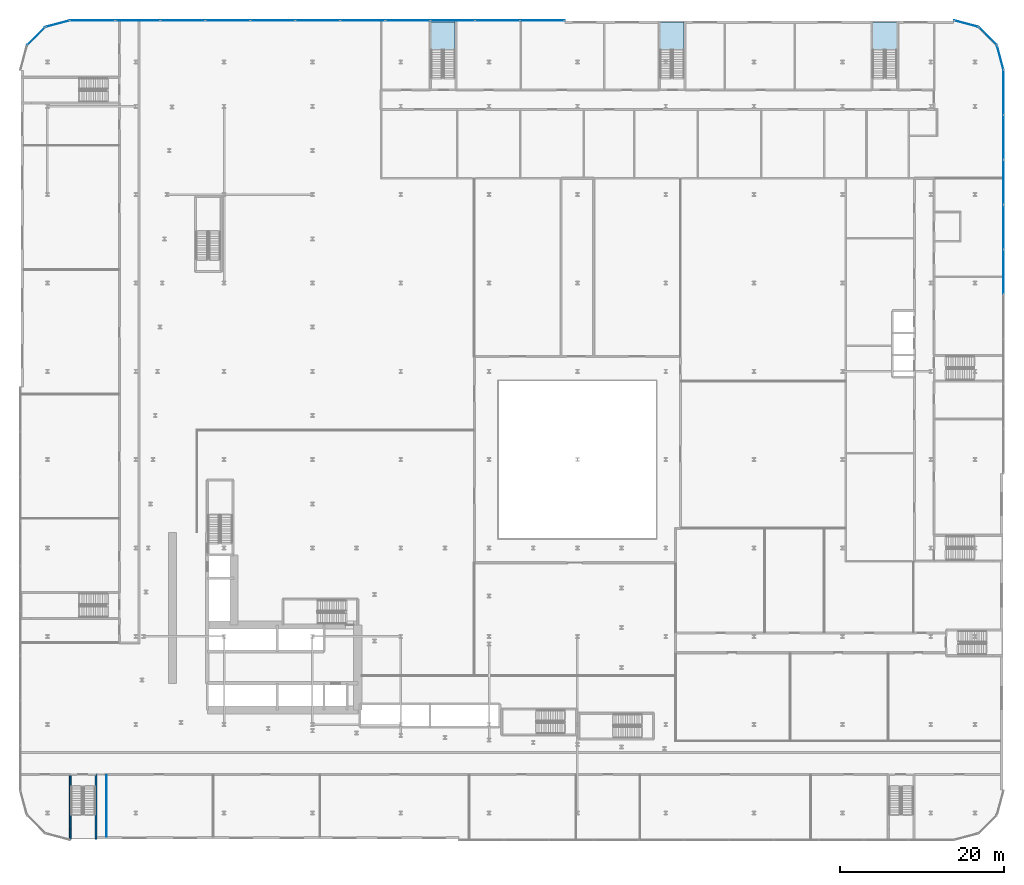
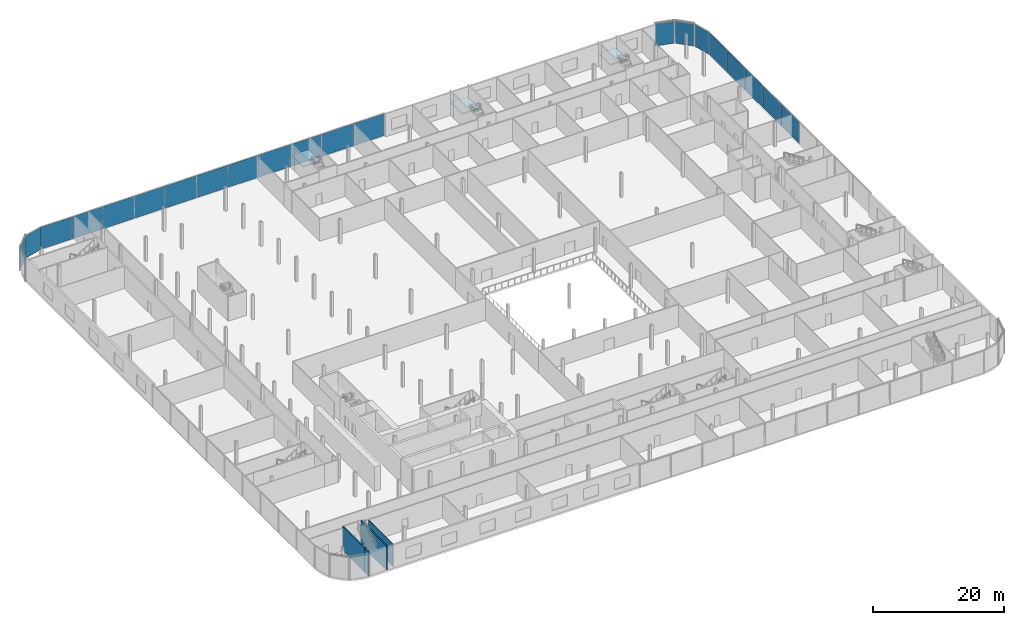
# One storey, part 25 of 47: 21 plates, 4 walls, 3 slabs, 10 elements without a shape of their own.
"""IFC4 building model written with IfcOpenShell, lengths in metres."""

from ifc_helpers import new_model, si_unit, direction, frame, frame_2d, origin, origin_2d, place, context, subcontext, project, spatial, polyline, rectangle, outline, extrude, material, layer, layer_set, type_object, element, aggregate, save


model = new_model("IFC4")

# Units and contexts
model_context = context("Model", 3, precision=1e-05, world=origin(), true_north=direction((0.0, 1.0)))
body_context = subcontext(model_context, "Body", "Model", "MODEL_VIEW")
ifc_project = project(units=[si_unit("LENGTHUNIT", "METRE"), si_unit("AREAUNIT", "SQUARE_METRE"), si_unit("VOLUMEUNIT", "CUBIC_METRE"), si_unit("PLANEANGLEUNIT", "RADIAN"), si_unit("MASSUNIT", "GRAM", prefix="KILO")], contexts=[model_context])

# Site, building, storey
site_placement = place(None, origin())
site = spatial("IfcSite", under=ifc_project, at=site_placement, CompositionType="ELEMENT")
building_placement = place(site_placement, origin())
building = spatial("IfcBuilding", under=site, at=building_placement, Name="Kheshtan School and Residences Tower", CompositionType="ELEMENT")
storey_placement = place(building_placement, frame((0.0, 0.0, 17.0)))
storey = spatial("IfcBuildingStorey", under=building, at=storey_placement, Name="L03", CompositionType="ELEMENT", Elevation=17.0)

# Curtain wall, plate
ifc_material_1 = material(Name="Clear low-e glass in thermally broken aluminium frame", Category="aluminium")
ifc_layer_1 = layer(ifc_material_1, 0.22509765625)
ifc_layer_set_1 = layer_set([ifc_layer_1], Name="Curtain wall CW-P")
curtain_wall_type = type_object("IfcCurtainWallType", Name="Curtain wall CW-P", PredefinedType="NOTDEFINED", material=ifc_layer_set_1)
curtain_wall_1_placement = place(storey_placement, origin())
curtain_wall_1 = element("IfcCurtainWall", 1, at=curtain_wall_1_placement, inside=storey, type_object=curtain_wall_type, Name="Curtain wall CWP2a", PredefinedType="NOTDEFINED")
ifc_layer_2 = layer(ifc_material_1, 0.035888671875)
ifc_layer_set_2 = layer_set([ifc_layer_2], Name="CW-P glass panel")
plate_type = type_object("IfcPlateType", Name="CW-P glass panel", PredefinedType="CURTAIN_PANEL", material=ifc_layer_set_2)
plate_1_placement = place(storey_placement, frame((13.831298828125, 108.168701171875, 0.0), z_axis=(0.0, 0.0, 1.0), x_axis=(0.707106781187, 0.707106781187, 0.0)))
plate_1 = element("IfcPlate", 2, at=plate_1_placement, type_object=plate_type, Name="CWP2a panel 1.1", PredefinedType="CURTAIN_PANEL", context=body_context, shape_type="SweptSolid", body=[
    extrude(rectangle(XDim=2.985595703125, YDim=0.035888671875, at=origin_2d()), origin(), (0.0, 0.0, 1.0), 4.110107421875),
])
aggregate(curtain_wall_1, [plate_1])

curtain_wall_2_placement = place(storey_placement, origin())
curtain_wall_2 = element("IfcCurtainWall", 3, at=curtain_wall_2_placement, inside=storey, type_object=curtain_wall_type, Name="Curtain wall CWP3a", PredefinedType="NOTDEFINED")
plate_2_placement = place(storey_placement, frame((16.47412109375, 109.694580078125, 0.0), z_axis=(0.0, 0.0, 1.0), x_axis=(0.965913556273, 0.258864833085, 0.0)))
plate_2 = element("IfcPlate", 4, at=plate_2_placement, type_object=plate_type, Name="CWP3a panel 1.1", PredefinedType="CURTAIN_PANEL", context=body_context, shape_type="SweptSolid", body=[
    extrude(rectangle(XDim=2.98583984375, YDim=0.035888671875, at=origin_2d()), origin(), (0.0, 0.0, 1.0), 4.110107421875),
])
aggregate(curtain_wall_2, [plate_2])

# Curtain wall, plates
curtain_wall_3_placement = place(storey_placement, origin())
curtain_wall_3 = element("IfcCurtainWall", 5, at=curtain_wall_3_placement, inside=storey, type_object=curtain_wall_type, Name="Curtain wall CWP4a", PredefinedType="NOTDEFINED")
plate_3_placement = place(storey_placement, frame((20.7216796875, 110.10009765625, 0.0), z_axis=(0.0, 0.0, 1.0), x_axis=(1.0, 0.0, 0.0)))
plate_3 = element("IfcPlate", 6, at=plate_3_placement, type_object=plate_type, Name="CWP4a panel 1.1", PredefinedType="CURTAIN_PANEL", context=body_context, shape_type="SweptSolid", body=[
    extrude(rectangle(XDim=5.4931640625, YDim=0.035888671875, at=origin_2d()), origin(), (0.0, 0.0, 1.0), 4.110107421875),
])
plate_4_placement = place(storey_placement, frame((26.247314453125, 110.10009765625, 0.0), z_axis=(0.0, 0.0, 1.0), x_axis=(1.0, 0.0, 0.0)))
plate_4 = element("IfcPlate", 7, at=plate_4_placement, type_object=plate_type, Name="CWP4a panel 2.1", PredefinedType="CURTAIN_PANEL", context=body_context, shape_type="SweptSolid", body=[
    extrude(rectangle(XDim=5.438232421875, YDim=0.035888671875, at=origin_2d()), origin(), (0.0, 0.0, 1.0), 4.110107421875),
])
plate_5_placement = place(storey_placement, frame((31.745361328125, 110.10009765625, 0.0), z_axis=(0.0, 0.0, 1.0), x_axis=(1.0, 0.0, 0.0)))
plate_5 = element("IfcPlate", 8, at=plate_5_placement, type_object=plate_type, Name="CWP4a panel 3.1", PredefinedType="CURTAIN_PANEL", context=body_context, shape_type="SweptSolid", body=[
    extrude(rectangle(XDim=5.438232421875, YDim=0.035888671875, at=origin_2d()), origin(), (0.0, 0.0, 1.0), 4.110107421875),
])
plate_6_placement = place(storey_placement, frame((37.24365234375, 110.10009765625, 0.0), z_axis=(0.0, 0.0, 1.0), x_axis=(1.0, 0.0, 0.0)))
plate_6 = element("IfcPlate", 9, at=plate_6_placement, type_object=plate_type, Name="CWP4a panel 4.1", PredefinedType="CURTAIN_PANEL", context=body_context, shape_type="SweptSolid", body=[
    extrude(rectangle(XDim=5.438232421875, YDim=0.035888671875, at=origin_2d()), origin(), (0.0, 0.0, 1.0), 4.110107421875),
])
plate_7_placement = place(storey_placement, frame((42.74169921875, 110.10009765625, 0.0), z_axis=(0.0, 0.0, 1.0), x_axis=(1.0, 0.0, 0.0)))
plate_7 = element("IfcPlate", 10, at=plate_7_placement, type_object=plate_type, Name="CWP4a panel 5.1", PredefinedType="CURTAIN_PANEL", context=body_context, shape_type="SweptSolid", body=[
    extrude(rectangle(XDim=5.438232421875, YDim=0.035888671875, at=origin_2d()), origin(), (0.0, 0.0, 1.0), 4.110107421875),
])
plate_8_placement = place(storey_placement, frame((48.239990234375, 110.10009765625, 0.0), z_axis=(0.0, 0.0, 1.0), x_axis=(1.0, 0.0, 0.0)))
plate_8 = element("IfcPlate", 11, at=plate_8_placement, type_object=plate_type, Name="CWP4a panel 6.1", PredefinedType="CURTAIN_PANEL", context=body_context, shape_type="SweptSolid", body=[
    extrude(rectangle(XDim=5.438232421875, YDim=0.035888671875, at=origin_2d()), origin(), (0.0, 0.0, 1.0), 4.110107421875),
])
plate_9_placement = place(storey_placement, frame((53.73828125, 110.10009765625, 0.0), z_axis=(0.0, 0.0, 1.0), x_axis=(1.0, 0.0, 0.0)))
plate_9 = element("IfcPlate", 12, at=plate_9_placement, type_object=plate_type, Name="CWP4a panel 7.1", PredefinedType="CURTAIN_PANEL", context=body_context, shape_type="SweptSolid", body=[
    extrude(rectangle(XDim=5.438232421875, YDim=0.035888671875, at=origin_2d()), origin(), (0.0, 0.0, 1.0), 4.110107421875),
])
plate_10_placement = place(storey_placement, frame((59.236328125, 110.10009765625, 0.0), z_axis=(0.0, 0.0, 1.0), x_axis=(1.0, 0.0, 0.0)))
plate_10 = element("IfcPlate", 13, at=plate_10_placement, type_object=plate_type, Name="CWP4a panel 8.1", PredefinedType="CURTAIN_PANEL", context=body_context, shape_type="SweptSolid", body=[
    extrude(rectangle(XDim=5.438232421875, YDim=0.035888671875, at=origin_2d()), origin(), (0.0, 0.0, 1.0), 4.110107421875),
])
plate_11_placement = place(storey_placement, frame((64.734619140625, 110.10009765625, 0.0), z_axis=(0.0, 0.0, 1.0), x_axis=(1.0, 0.0, 0.0)))
plate_11 = element("IfcPlate", 14, at=plate_11_placement, type_object=plate_type, Name="CWP4a panel 9.1", PredefinedType="CURTAIN_PANEL", context=body_context, shape_type="SweptSolid", body=[
    extrude(rectangle(XDim=5.438232421875, YDim=0.035888671875, at=origin_2d()), origin(), (0.0, 0.0, 1.0), 4.110107421875),
])
plate_12_placement = place(storey_placement, frame((70.232666015625, 110.10009765625, 0.0), z_axis=(0.0, 0.0, 1.0), x_axis=(1.0, 0.0, 0.0)))
plate_12 = element("IfcPlate", 15, at=plate_12_placement, type_object=plate_type, Name="CWP4a panel 10.1", PredefinedType="CURTAIN_PANEL", context=body_context, shape_type="SweptSolid", body=[
    extrude(rectangle(XDim=5.438232421875, YDim=0.035888671875, at=origin_2d()), origin(), (0.0, 0.0, 1.0), 4.110107421875),
])
plate_13_placement = place(storey_placement, frame((75.7158203125, 110.10009765625, 0.0), z_axis=(0.0, 0.0, 1.0), x_axis=(1.0, 0.0, 0.0)))
plate_13 = element("IfcPlate", 16, at=plate_13_placement, type_object=plate_type, Name="CWP4a panel 11.1", PredefinedType="CURTAIN_PANEL", context=body_context, shape_type="SweptSolid", body=[
    extrude(rectangle(XDim=5.408203125, YDim=0.035888671875, at=origin_2d()), origin(), (0.0, 0.0, 1.0), 4.110107421875),
])
aggregate(curtain_wall_3, [plate_3, plate_4, plate_5, plate_6, plate_7, plate_8, plate_9, plate_10, plate_11, plate_12, plate_13])

# Curtain wall, plate
curtain_wall_4_placement = place(storey_placement, origin())
curtain_wall_4 = element("IfcCurtainWall", 17, at=curtain_wall_4_placement, inside=storey, type_object=curtain_wall_type, Name="Curtain wall CWP5a", PredefinedType="NOTDEFINED")
plate_14_placement = place(storey_placement, frame((127.52587890625, 109.694580078125, 0.0), z_axis=(0.0, 0.0, 1.0), x_axis=(0.965913556273, -0.258864833085, 0.0)))
plate_14 = element("IfcPlate", 18, at=plate_14_placement, type_object=plate_type, Name="CWP5a panel 1.1", PredefinedType="CURTAIN_PANEL", context=body_context, shape_type="SweptSolid", body=[
    extrude(rectangle(XDim=2.98583984375, YDim=0.035888671875, at=origin_2d()), origin(), (0.0, 0.0, 1.0), 4.110107421875),
])
aggregate(curtain_wall_4, [plate_14])

curtain_wall_5_placement = place(storey_placement, origin())
curtain_wall_5 = element("IfcCurtainWall", 19, at=curtain_wall_5_placement, inside=storey, type_object=curtain_wall_type, Name="Curtain wall CWP6a", PredefinedType="NOTDEFINED")
plate_15_placement = place(storey_placement, frame((130.168701171875, 108.168701171875, 0.0), z_axis=(0.0, 0.0, 1.0), x_axis=(0.707106781187, -0.707106781187, 0.0)))
plate_15 = element("IfcPlate", 20, at=plate_15_placement, type_object=plate_type, Name="CWP6a panel 1.1", PredefinedType="CURTAIN_PANEL", context=body_context, shape_type="SweptSolid", body=[
    extrude(rectangle(XDim=2.985595703125, YDim=0.035888671875, at=origin_2d()), origin(), (0.0, 0.0, 1.0), 4.110107421875),
])
aggregate(curtain_wall_5, [plate_15])

curtain_wall_6_placement = place(storey_placement, origin())
curtain_wall_6 = element("IfcCurtainWall", 21, at=curtain_wall_6_placement, inside=storey, type_object=curtain_wall_type, Name="Curtain wall CWP7a", PredefinedType="NOTDEFINED")
plate_16_placement = place(storey_placement, frame((131.694580078125, 105.52587890625, 0.0), z_axis=(0.0, 0.0, 1.0), x_axis=(0.258864833085, -0.965913556273, 0.0)))
plate_16 = element("IfcPlate", 22, at=plate_16_placement, type_object=plate_type, Name="CWP7a panel 1.1", PredefinedType="CURTAIN_PANEL", context=body_context, shape_type="SweptSolid", body=[
    extrude(rectangle(XDim=2.98583984375, YDim=0.035888671875, at=origin_2d()), origin(), (0.0, 0.0, 1.0), 4.110107421875),
])
aggregate(curtain_wall_6, [plate_16])

# Curtain wall, plates
curtain_wall_7_placement = place(storey_placement, origin())
curtain_wall_7 = element("IfcCurtainWall", 23, at=curtain_wall_7_placement, inside=storey, type_object=curtain_wall_type, Name="Curtain wall CWP8a", PredefinedType="NOTDEFINED")
plate_17_placement = place(storey_placement, frame((132.10009765625, 101.28955078125, 0.0), z_axis=(0.0, 0.0, 1.0), x_axis=(0.0, -1.0, 0.0)))
plate_17 = element("IfcPlate", 24, at=plate_17_placement, type_object=plate_type, Name="CWP8a panel 1.1", PredefinedType="CURTAIN_PANEL", context=body_context, shape_type="SweptSolid", body=[
    extrude(rectangle(XDim=5.470458984375, YDim=0.035888671875, at=origin_2d()), origin(), (0.0, 0.0, 1.0), 4.110107421875),
])
plate_18_placement = place(storey_placement, frame((132.10009765625, 95.78662109375, 0.0), z_axis=(0.0, 0.0, 1.0), x_axis=(0.0, -1.0, 0.0)))
plate_18 = element("IfcPlate", 25, at=plate_18_placement, type_object=plate_type, Name="CWP8a panel 2.1", PredefinedType="CURTAIN_PANEL", context=body_context, shape_type="SweptSolid", body=[
    extrude(rectangle(XDim=5.41552734375, YDim=0.035888671875, at=origin_2d()), origin(), (0.0, 0.0, 1.0), 4.110107421875),
])
plate_19_placement = place(storey_placement, frame((132.10009765625, 90.31103515625, 0.0), z_axis=(0.0, 0.0, 1.0), x_axis=(0.0, -1.0, 0.0)))
plate_19 = element("IfcPlate", 26, at=plate_19_placement, type_object=plate_type, Name="CWP8a panel 3.1", PredefinedType="CURTAIN_PANEL", context=body_context, shape_type="SweptSolid", body=[
    extrude(rectangle(XDim=5.41552734375, YDim=0.035888671875, at=origin_2d()), origin(), (0.0, 0.0, 1.0), 4.110107421875),
])
plate_20_placement = place(storey_placement, frame((132.10009765625, 84.83544921875, 0.0), z_axis=(0.0, 0.0, 1.0), x_axis=(0.0, -1.0, 0.0)))
plate_20 = element("IfcPlate", 27, at=plate_20_placement, type_object=plate_type, Name="CWP8a panel 4.1", PredefinedType="CURTAIN_PANEL", context=body_context, shape_type="SweptSolid", body=[
    extrude(rectangle(XDim=5.41552734375, YDim=0.035888671875, at=origin_2d()), origin(), (0.0, 0.0, 1.0), 4.110107421875),
])
plate_21_placement = place(storey_placement, frame((132.10009765625, 79.360107421875, 0.0), z_axis=(0.0, 0.0, 1.0), x_axis=(0.0, -1.0, 0.0)))
plate_21 = element("IfcPlate", 28, at=plate_21_placement, type_object=plate_type, Name="CWP8a panel 5.1", PredefinedType="CURTAIN_PANEL", context=body_context, shape_type="SweptSolid", body=[
    extrude(rectangle(XDim=5.41552734375, YDim=0.035888671875, at=origin_2d()), origin(), (0.0, 0.0, 1.0), 4.110107421875),
])
aggregate(curtain_wall_7, [plate_17, plate_18, plate_19, plate_20, plate_21])

# Stair, slab
ifc_material_2 = material(Name="Concrete C40/50", Category="concrete")
stair_type = type_object("IfcStairType", Name="Exit stair, half-turn", PredefinedType="HALF_TURN_STAIR", material=ifc_material_2)
stair_1_placement = place(storey_placement, origin())
stair_1 = element("IfcStair", 29, at=stair_1_placement, inside=storey, type_object=stair_type, Name="L03 School Exit Stair 062-102", PredefinedType="HALF_TURN_STAIR")
ifc_layer_3 = layer(ifc_material_2, 0.199951171875)
ifc_layer_set_3 = layer_set([ifc_layer_3], Name="Stair landing 200 Concrete C40/50")
slab_type = type_object("IfcSlabType", Name="Stair landing 200 Concrete C40/50", PredefinedType="LANDING", material=ifc_layer_set_3)
slab_1_placement = place(storey_placement, frame((0.0, 0.0, 2.050048828125)))
slab_1 = element("IfcSlab", 30, at=slab_1_placement, type_object=slab_type, Name="PS-062-102 landing 1", PredefinedType="LANDING", context=body_context, shape_type="SweptSolid", body=[
    extrude(outline(polyline([(65.050048828125, 106.4599609375), (65.050048828125, 109.89990234375), (62.10009765625, 109.89990234375), (62.10009765625, 106.4599609375), (65.050048828125, 106.4599609375)])), origin(), (0.0, 0.0, 1.0), 0.199951171875),
])
aggregate(stair_1, [slab_1])

stair_2_placement = place(storey_placement, origin())
stair_2 = element("IfcStair", 31, at=stair_2_placement, inside=storey, type_object=stair_type, Name="L03 School Exit Stair 090-102", PredefinedType="HALF_TURN_STAIR")
slab_2_placement = place(storey_placement, frame((0.0, 0.0, 2.050048828125)))
slab_2 = element("IfcSlab", 32, at=slab_2_placement, type_object=slab_type, Name="PS-090-102 landing 1", PredefinedType="LANDING", context=body_context, shape_type="SweptSolid", body=[
    extrude(outline(polyline([(93.050048828125, 106.4599609375), (93.050048828125, 109.89990234375), (90.10009765625, 109.89990234375), (90.10009765625, 106.4599609375), (93.050048828125, 106.4599609375)])), origin(), (0.0, 0.0, 1.0), 0.199951171875),
])
aggregate(stair_2, [slab_2])

stair_3_placement = place(storey_placement, origin())
stair_3 = element("IfcStair", 33, at=stair_3_placement, inside=storey, type_object=stair_type, Name="L03 School Exit Stair 116-102", PredefinedType="HALF_TURN_STAIR")
slab_3_placement = place(storey_placement, frame((0.0, 0.0, 2.050048828125)))
slab_3 = element("IfcSlab", 34, at=slab_3_placement, type_object=slab_type, Name="PS-116-102 landing 1", PredefinedType="LANDING", context=body_context, shape_type="SweptSolid", body=[
    extrude(outline(polyline([(119.050048828125, 106.4599609375), (119.050048828125, 109.89990234375), (116.10009765625, 109.89990234375), (116.10009765625, 106.4599609375), (119.050048828125, 106.4599609375)])), origin(), (0.0, 0.0, 1.0), 0.199951171875),
])
aggregate(stair_3, [slab_3])

# Walls
ifc_material_3 = material(Name="Gypsum board on steel studs", Category="steel")
ifc_layer_4 = layer(ifc_material_3, 0.10009765625)
ifc_layer_set_4 = layer_set([ifc_layer_4], Name="Gypsum partition 100")
wall_type_1 = type_object("IfcWallType", Name="Gypsum partition 100", PredefinedType="PARTITIONING", material=ifc_layer_set_4)
wall_1_placement = place(storey_placement, frame((22.43505859375, 10.299072265625, 0.0), z_axis=(0.0, 0.0, 1.0), x_axis=(0.0, 1.0, 0.0)))
element("IfcWall", 35, at=wall_1_placement, inside=storey, type_object=wall_type_1, Name="Partition L03-009", PredefinedType="PARTITIONING", context=body_context, shape_type="SweptSolid", body=[
    extrude(rectangle(XDim=7.5009765625, YDim=0.10009765625, at=frame_2d((3.75048828125, 0.0))), origin(), (0.0, 0.0, 1.0), 4.179931640625),
])
ifc_layer_5 = layer(ifc_material_2, 0.199951171875)
ifc_layer_set_5 = layer_set([ifc_layer_5], Name="Stair enclosure wall 200 Concrete C40/50")
wall_type_2 = type_object("IfcWallType", Name="Stair enclosure wall 200 Concrete C40/50", PredefinedType="SHEAR", material=ifc_layer_set_5)
wall_2_placement = place(storey_placement, frame((18.0, 10.0, 0.0), z_axis=(0.0, 0.0, 1.0), x_axis=(0.0, 1.0, 0.0)))
element("IfcWall", 36, at=wall_2_placement, inside=storey, type_object=wall_type_2, Name="Stair enclosure wall", PredefinedType="SHEAR", context=body_context, shape_type="SweptSolid", body=[
    extrude(rectangle(XDim=1.199951171875, YDim=0.199951171875, at=frame_2d((0.60009765625, 0.0))), origin(), (0.0, 0.0, 1.0), 4.5),
])
wall_3_placement = place(storey_placement, frame((18.0, 11.199951171875, 0.0), z_axis=(0.0, 0.0, 1.0), x_axis=(0.0, 1.0, 0.0)))
element("IfcWall", 37, at=wall_3_placement, inside=storey, type_object=wall_type_2, Name="Stair enclosure wall", PredefinedType="SHEAR", context=body_context, shape_type="SweptSolid", body=[
    extrude(rectangle(XDim=6.699951171875, YDim=0.199951171875, at=frame_2d((3.35009765625, 0.0))), origin(), (0.0, 0.0, 1.0), 4.5),
])
wall_4_placement = place(storey_placement, frame((21.14990234375, 10.0, 0.0), z_axis=(0.0, 0.0, 1.0), x_axis=(0.0, 1.0, 0.0)))
element("IfcWall", 38, at=wall_4_placement, inside=storey, type_object=wall_type_2, Name="Stair enclosure wall", PredefinedType="SHEAR", context=body_context, shape_type="SweptSolid", body=[
    extrude(rectangle(XDim=7.89990234375, YDim=0.199951171875, at=frame_2d((3.949951171875, 0.0))), origin(), (0.0, 0.0, 1.0), 4.5),
])

save(model, "model.ifc")
